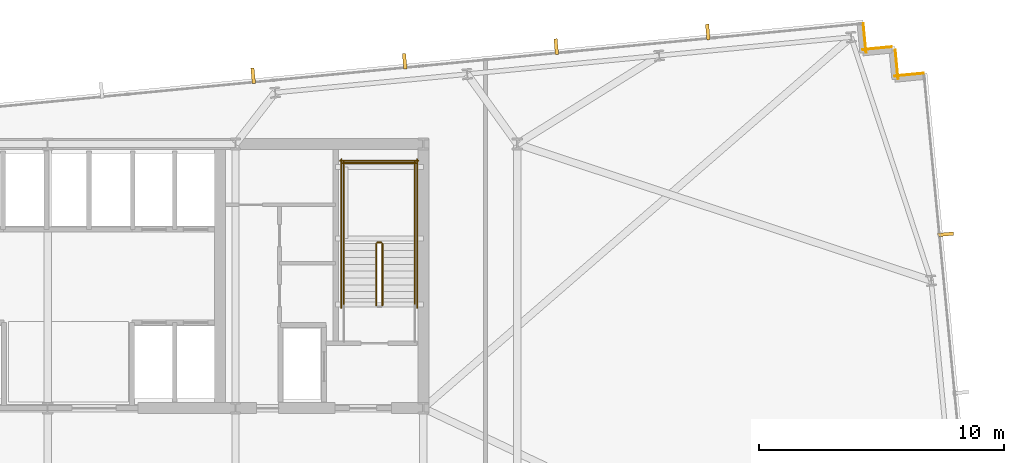
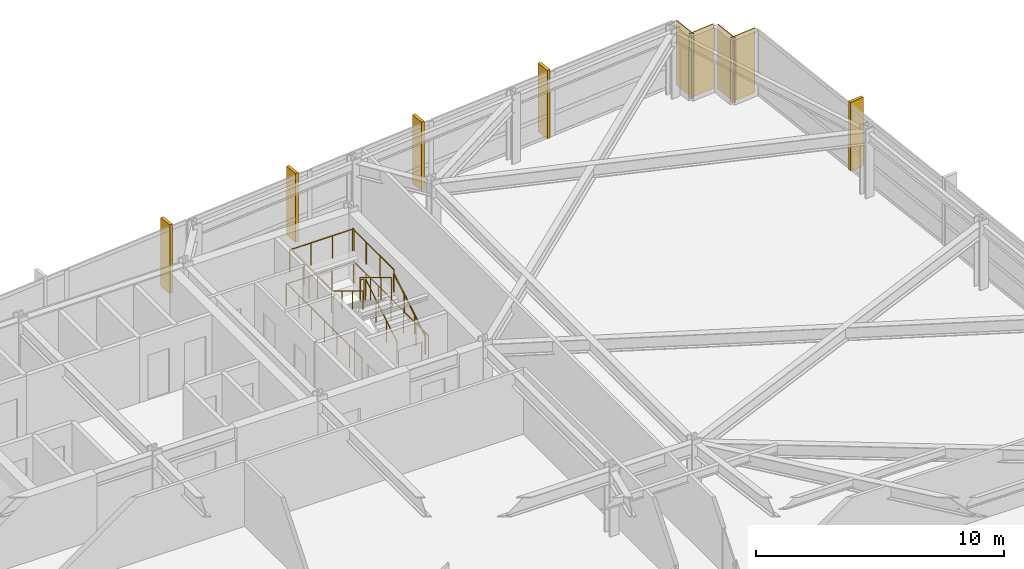
# One storey, part 33 of 33: 11 railings, 5 shading devices, 4 coverings.
"""IFC4 building model written with IfcOpenShell, lengths in metres."""

from ifc_helpers import new_model, si_unit, direction, frame, frame_2d, origin, origin_2d, place, context, subcontext, project, spatial, rectangle, circle, extrude, material, layer, layer_set, type_object, element, save


model = new_model("IFC4")

# Units and contexts
model_context = context("Model", 3, precision=1e-05, world=origin(), true_north=direction((0.0, 1.0)))
body_context = subcontext(model_context, "Body", "Model", "MODEL_VIEW")
ifc_project = project(units=[si_unit("LENGTHUNIT", "METRE"), si_unit("AREAUNIT", "SQUARE_METRE"), si_unit("VOLUMEUNIT", "CUBIC_METRE"), si_unit("PLANEANGLEUNIT", "RADIAN"), si_unit("MASSUNIT", "GRAM", prefix="KILO")], contexts=[model_context])

# Site, building, storey
site_placement = place(None, origin())
site = spatial("IfcSite", under=ifc_project, at=site_placement, CompositionType="ELEMENT")
building_placement = place(site_placement, origin())
building = spatial("IfcBuilding", under=site, at=building_placement, Name="Yelkora Congress Tower", CompositionType="ELEMENT")
storey_placement = place(building_placement, frame((0.0, 0.0, 89.699951171875)))
storey = spatial("IfcBuildingStorey", under=building, at=storey_placement, Name="L23", CompositionType="ELEMENT", Elevation=89.699951171875)

# Coverings
ifc_material_1 = material(Name="Anatolian bush-hammered limestone", Category="masonry")
ifc_layer_1 = layer(ifc_material_1, 0.0400390625)
ifc_layer_set_1 = layer_set([ifc_layer_1], Name="Anatolian bush-hammered limestone")
covering_type = type_object("IfcCoveringType", Name="COV-CLAD-SPANDREL-40", PredefinedType="CLADDING", material=ifc_layer_set_1)
for number, where, z_axis, x_axis, name in (
    (1, (71.74609375, 51.1279296875, 0.0), (0.0, 0.0, 1.0), (0.095817067274, -0.995398960025, 0.0), "L23 Anatolian Limestone Cladding EW-L23-SR11"),
    (2, (71.7138671875, 50.0546875, 0.0), (0.0, 0.0, 1.0), (0.995379537303, 0.096018626938, 0.0), "L23 Anatolian Limestone Cladding EW-L23-SR12"),
):
    element("IfcCovering", number, at=place(storey_placement, frame(where, z_axis=z_axis, x_axis=x_axis)), inside=storey, type_object=covering_type, Name=name, PredefinedType="CLADDING", context=body_context, shape_type="SweptSolid", body=[
        extrude(rectangle(XDim=1.2001953125, YDim=0.0400390625, at=frame_2d((0.60009765625, 0.0))), origin(), (0.0, 0.0, 1.0), 3.179931640625),
    ])
covering_1_placement = place(storey_placement, frame((73.0556640625, 50.04833984375, 0.0), z_axis=(0.0, 0.0, 1.0), x_axis=(0.095836473879, -0.995397091755, 0.0)))
element("IfcCovering", 3, at=covering_1_placement, inside=storey, type_object=covering_type, Name="L23 Anatolian Limestone Cladding EW-L23-SR13", PredefinedType="CLADDING", context=body_context, shape_type="SweptSolid", body=[
    extrude(rectangle(XDim=1.199951171875, YDim=0.0400390625, at=frame_2d((0.60009765625, 0.0))), origin(), (0.0, 0.0, 1.0), 3.179931640625),
])
covering_2_placement = place(storey_placement, frame((73.0234375, 48.975341796875, 0.0), z_axis=(0.0, 0.0, 1.0), x_axis=(0.995398960025, 0.095817067274, 0.0)))
element("IfcCovering", 4, at=covering_2_placement, inside=storey, type_object=covering_type, Name="L23 Anatolian Limestone Cladding EW-L23-SR14", PredefinedType="CLADDING", context=body_context, shape_type="SweptSolid", body=[
    extrude(rectangle(XDim=1.2001953125, YDim=0.0400390625, at=frame_2d((0.60009765625, 0.0))), origin(), (0.0, 0.0, 1.0), 3.179931640625),
])

# Railings
ifc_material_2 = material(Name="Painted galvanised steel stair well guard with vertical infill", Category="steel")
ifc_layer_2 = layer(ifc_material_2, 0.06005859375)
ifc_layer_set_2 = layer_set([ifc_layer_2], Name="Painted galvanised steel stair well guard with vertical infill")
railing_type_1 = type_object("IfcRailingType", Name="RAIL-STAIR-GUARD-1120", PredefinedType="GUARDRAIL", material=ifc_layer_set_2)
railing_1_placement = place(storey_placement, frame((52.090087890625, 39.60009765625, 0.170166015625)))
element("IfcRailing", 5, at=railing_1_placement, inside=storey, type_object=railing_type_1, Name="ST-02 L23 Stair Well Guardrail 1", PredefinedType="GUARDRAIL", context=body_context, shape_type="SweptSolid", body=[
    extrude(circle(Radius=0.02392578125, at=origin_2d()), frame((0.0, 0.0, 1.09619140625), z_axis=(0.0, 0.854821627497, 0.518921945155), x_axis=(-1.0, 0.0, 0.0)), (0.0, 0.0, 1.0), 2.947998046875),
    extrude(circle(Radius=0.02099609375, at=origin_2d()), origin(), (0.0, 0.0, 1.0), 1.072021484375),
    extrude(circle(Radius=0.02099609375, at=origin_2d()), frame((0.0, 0.840087890625, 0.510009765625)), (0.0, 0.0, 1.0), 1.072021484375),
    extrude(circle(Radius=0.02099609375, at=origin_2d()), frame((0.0, 1.679931640625, 1.019775390625)), (0.0, 0.0, 1.0), 1.072021484375),
    extrude(circle(Radius=0.02099609375, at=origin_2d()), frame((0.0, 2.52001953125, 1.52978515625)), (0.0, 0.0, 1.0), 1.072021484375),
])
railing_2_placement = place(storey_placement, frame((52.0400390625, 42.169921875, 1.699951171875)))
element("IfcRailing", 6, at=railing_2_placement, inside=storey, type_object=railing_type_1, Name="ST-02 L23 Stair Well Guardrail 2", PredefinedType="GUARDRAIL", context=body_context, shape_type="SweptSolid", body=[
    extrude(circle(Radius=0.02392578125, at=origin_2d()), frame((0.0, 0.0, 1.09619140625), z_axis=(-1.0, 0.0, 0.0), x_axis=(0.0, -1.0, 0.0)), (0.0, 0.0, 1.0), 0.16015625),
    extrude(circle(Radius=0.02099609375, at=origin_2d()), origin(), (0.0, 0.0, 1.0), 1.072021484375),
    extrude(circle(Radius=0.02099609375, at=origin_2d()), frame((-0.16015625, 0.0, 0.0)), (0.0, 0.0, 1.0), 1.072021484375),
])
for number, where, name in (
    (7, (53.409912109375, 42.1201171875, 1.699951171875), "ST-02 L23 Stair Well Guardrail 3"),
    (8, (50.510009765625, 42.1201171875, 1.699951171875), "ST-02 L23 Stair Well Guardrail 4"),
):
    element("IfcRailing", number, at=place(storey_placement, frame(where)), inside=storey, type_object=railing_type_1, Name=name, PredefinedType="GUARDRAIL", context=body_context, shape_type="SweptSolid", body=[
        extrude(circle(Radius=0.02392578125, at=origin_2d()), frame((0.0, 0.0, 1.09619140625), z_axis=(0.0, 1.0, 0.0), x_axis=(-1.0, 0.0, 0.0)), (0.0, 0.0, 1.0), 3.349853515625),
        extrude(circle(Radius=0.02099609375, at=origin_2d()), origin(), (0.0, 0.0, 1.0), 1.072021484375),
        extrude(circle(Radius=0.02099609375, at=origin_2d()), frame((0.0, 1.11669921875, 0.0)), (0.0, 0.0, 1.0), 1.072021484375),
        extrude(circle(Radius=0.02099609375, at=origin_2d()), frame((0.0, 2.233154296875, 0.0)), (0.0, 0.0, 1.0), 1.072021484375),
        extrude(circle(Radius=0.02099609375, at=origin_2d()), frame((0.0, 3.349853515625, 0.0)), (0.0, 0.0, 1.0), 1.072021484375),
    ])
railing_3_placement = place(storey_placement, frame((53.4599609375, 45.419921875, 1.699951171875)))
element("IfcRailing", 9, at=railing_3_placement, inside=storey, type_object=railing_type_1, Name="ST-02 L23 Stair Well Guardrail 5", PredefinedType="GUARDRAIL", context=body_context, shape_type="SweptSolid", body=[
    extrude(circle(Radius=0.02392578125, at=origin_2d()), frame((0.0, 0.0, 1.09619140625), z_axis=(-1.0, 0.0, 0.0), x_axis=(0.0, -1.0, 0.0)), (0.0, 0.0, 1.0), 3.0),
    extrude(circle(Radius=0.02099609375, at=origin_2d()), origin(), (0.0, 0.0, 1.0), 1.072021484375),
    extrude(circle(Radius=0.02099609375, at=origin_2d()), frame((-1.0, 0.0, 0.0)), (0.0, 0.0, 1.0), 1.072021484375),
    extrude(circle(Radius=0.02099609375, at=origin_2d()), frame((-2.0, 0.0, 0.0)), (0.0, 0.0, 1.0), 1.072021484375),
    extrude(circle(Radius=0.02099609375, at=origin_2d()), frame((-3.0, 0.0, 0.0)), (0.0, 0.0, 1.0), 1.072021484375),
])
railing_4_placement = place(storey_placement, frame((51.830078125, 42.1201171875, 1.8701171875)))
element("IfcRailing", 10, at=railing_4_placement, inside=storey, type_object=railing_type_1, Name="ST-02 L23 Stair Well Guardrail 6", PredefinedType="GUARDRAIL", context=body_context, shape_type="SweptSolid", body=[
    extrude(circle(Radius=0.02392578125, at=origin_2d()), frame((0.0, 0.0, 1.09619140625), z_axis=(0.0, -0.85478489116, 0.518982456201), x_axis=(1.0, 0.0, 0.0)), (0.0, 0.0, 1.0), 2.9482421875),
    extrude(circle(Radius=0.02099609375, at=origin_2d()), origin(), (0.0, 0.0, 1.0), 1.072021484375),
    extrude(circle(Radius=0.02099609375, at=origin_2d()), frame((0.0, -0.840087890625, 0.510009765625)), (0.0, 0.0, 1.0), 1.072021484375),
    extrude(circle(Radius=0.02099609375, at=origin_2d()), frame((0.0, -1.679931640625, 1.02001953125)), (0.0, 0.0, 1.0), 1.072021484375),
    extrude(circle(Radius=0.02099609375, at=origin_2d()), frame((0.0, -2.52001953125, 1.530029296875)), (0.0, 0.0, 1.0), 1.072021484375),
])
for number, where, name in (
    (11, (53.510009765625, 39.5, 0.0), "ST-02 L23 Stair Well Guardrail 10"),
    (12, (50.409912109375, 39.5, 0.0), "ST-02 L23 Stair Well Guardrail 11"),
):
    element("IfcRailing", number, at=place(storey_placement, frame(where)), inside=storey, type_object=railing_type_1, Name=name, PredefinedType="GUARDRAIL", context=body_context, shape_type="SweptSolid", body=[
        extrude(circle(Radius=0.02392578125, at=origin_2d()), frame((0.0, 0.0, 1.09619140625), z_axis=(0.0, 1.0, 0.0), x_axis=(-1.0, 0.0, 0.0)), (0.0, 0.0, 1.0), 6.070068359375),
        extrude(circle(Radius=0.02099609375, at=origin_2d()), origin(), (0.0, 0.0, 1.0), 1.072021484375),
        extrude(circle(Radius=0.02099609375, at=origin_2d()), frame((0.0, 1.01171875, 0.0)), (0.0, 0.0, 1.0), 1.072021484375),
        extrude(circle(Radius=0.02099609375, at=origin_2d()), frame((0.0, 2.0234375, 0.0)), (0.0, 0.0, 1.0), 1.072021484375),
        extrude(circle(Radius=0.02099609375, at=origin_2d()), frame((0.0, 3.03515625, 0.0)), (0.0, 0.0, 1.0), 1.072021484375),
        extrude(circle(Radius=0.02099609375, at=origin_2d()), frame((0.0, 4.046630859375, 0.0)), (0.0, 0.0, 1.0), 1.072021484375),
        extrude(circle(Radius=0.02099609375, at=origin_2d()), frame((0.0, 5.058349609375, 0.0)), (0.0, 0.0, 1.0), 1.072021484375),
        extrude(circle(Radius=0.02099609375, at=origin_2d()), frame((0.0, 6.070068359375, 0.0)), (0.0, 0.0, 1.0), 1.072021484375),
    ])
railing_5_placement = place(storey_placement, frame((53.56005859375, 45.52001953125, 0.0)))
element("IfcRailing", 13, at=railing_5_placement, inside=storey, type_object=railing_type_1, Name="ST-02 L23 Stair Well Guardrail 12", PredefinedType="GUARDRAIL", context=body_context, shape_type="SweptSolid", body=[
    extrude(circle(Radius=0.02392578125, at=origin_2d()), frame((0.0, 0.0, 1.09619140625), z_axis=(-1.0, 0.0, 0.0), x_axis=(0.0, -1.0, 0.0)), (0.0, 0.0, 1.0), 3.199951171875),
    extrude(circle(Radius=0.02099609375, at=origin_2d()), origin(), (0.0, 0.0, 1.0), 1.072021484375),
    extrude(circle(Radius=0.02099609375, at=origin_2d()), frame((-1.066650390625, 0.0, 0.0)), (0.0, 0.0, 1.0), 1.072021484375),
    extrude(circle(Radius=0.02099609375, at=origin_2d()), frame((-2.13330078125, 0.0, 0.0)), (0.0, 0.0, 1.0), 1.072021484375),
    extrude(circle(Radius=0.02099609375, at=origin_2d()), frame((-3.199951171875, 0.0, 0.0)), (0.0, 0.0, 1.0), 1.072021484375),
])
ifc_material_3 = material(Name="Brushed stainless steel tubular handrail", Category="steel")
ifc_layer_3 = layer(ifc_material_3, 0.050048828125)
ifc_layer_set_3 = layer_set([ifc_layer_3], Name="Brushed stainless steel tubular handrail")
railing_type_2 = type_object("IfcRailingType", Name="RAIL-STAIR-HAND-920", PredefinedType="HANDRAIL", material=ifc_layer_set_3)
railing_6_placement = place(storey_placement, frame((53.409912109375, 39.60009765625, 0.170166015625)))
element("IfcRailing", 14, at=railing_6_placement, inside=storey, type_object=railing_type_2, Name="ST-02 L23 Pitch Handrail 1", PredefinedType="HANDRAIL", context=body_context, shape_type="SweptSolid", body=[
    extrude(circle(Radius=0.02392578125, at=origin_2d()), frame((0.0, 0.0, 0.89599609375), z_axis=(0.0, 0.854821627497, 0.518921945155), x_axis=(-1.0, 0.0, 0.0)), (0.0, 0.0, 1.0), 2.947998046875),
    extrude(circle(Radius=0.02099609375, at=origin_2d()), origin(), (0.0, 0.0, 1.0), 0.871826171875),
    extrude(circle(Radius=0.02099609375, at=origin_2d()), frame((0.0, 0.840087890625, 0.510009765625)), (0.0, 0.0, 1.0), 0.871826171875),
    extrude(circle(Radius=0.02099609375, at=origin_2d()), frame((0.0, 1.679931640625, 1.019775390625)), (0.0, 0.0, 1.0), 0.871826171875),
    extrude(circle(Radius=0.02099609375, at=origin_2d()), frame((0.0, 2.52001953125, 1.52978515625)), (0.0, 0.0, 1.0), 0.871826171875),
])
railing_7_placement = place(storey_placement, frame((50.510009765625, 42.1201171875, 1.8701171875)))
element("IfcRailing", 15, at=railing_7_placement, inside=storey, type_object=railing_type_2, Name="ST-02 L23 Pitch Handrail 2", PredefinedType="HANDRAIL", context=body_context, shape_type="SweptSolid", body=[
    extrude(circle(Radius=0.02392578125, at=origin_2d()), frame((0.0, 0.0, 0.89599609375), z_axis=(0.0, -0.85478489116, 0.518982456201), x_axis=(1.0, 0.0, 0.0)), (0.0, 0.0, 1.0), 2.9482421875),
    extrude(circle(Radius=0.02099609375, at=origin_2d()), origin(), (0.0, 0.0, 1.0), 0.871826171875),
    extrude(circle(Radius=0.02099609375, at=origin_2d()), frame((0.0, -0.840087890625, 0.510009765625)), (0.0, 0.0, 1.0), 0.871826171875),
    extrude(circle(Radius=0.02099609375, at=origin_2d()), frame((0.0, -1.679931640625, 1.02001953125)), (0.0, 0.0, 1.0), 0.871826171875),
    extrude(circle(Radius=0.02099609375, at=origin_2d()), frame((0.0, -2.52001953125, 1.530029296875)), (0.0, 0.0, 1.0), 0.871826171875),
])

# Shading devices
ifc_material_4 = material(Name="Champagne anodised aluminium", Category="aluminium")
ifc_layer_4 = layer(ifc_material_4, 3.39990234375)
ifc_layer_set_4 = layer_set([ifc_layer_4], Name="Champagne anodised aluminium")
shading_device_type = type_object("IfcShadingDeviceType", Name="SHD-FIN-ALU-640", PredefinedType="USERDEFINED", material=ifc_layer_set_4)
for number, where, z_axis, x_axis, name in (
    (16, (46.8037109375, 48.9873046875, -0.02978515625), (0.0, 0.0, 1.0), (0.995396198367, 0.09584575252, 0.0), "L23 Vertical Anodised Solar Fin 10-5"),
    (17, (52.99951171875, 49.583984375, -0.02978515625), (0.0, 0.0, 1.0), (0.995396198367, 0.09584575252, 0.0), "L23 Vertical Anodised Solar Fin 10-6"),
    (18, (59.1953125, 50.1806640625, -0.02978515625), (0.0, 0.0, 1.0), (0.995396198367, 0.09584575252, 0.0), "L23 Vertical Anodised Solar Fin 10-7"),
    (19, (65.39111328125, 50.777099609375, -0.02978515625), (0.0, 0.0, 1.0), (0.995396198367, 0.09584575252, 0.0), "L23 Vertical Anodised Solar Fin 10-8"),
    (20, (75.113037109375, 42.5068359375, -0.02978515625), (0.0, 0.0, 1.0), (0.09584575252, -0.995396198367, 0.0), "L23 Vertical Anodised Solar Fin 15-1"),
):
    element("IfcShadingDevice", number, at=place(storey_placement, frame(where, z_axis=z_axis, x_axis=x_axis)), inside=storey, type_object=shading_device_type, Name=name, ObjectType="FIN", PredefinedType="USERDEFINED", context=body_context, shape_type="SweptSolid", body=[
        extrude(rectangle(XDim=0.139892578125, YDim=0.639892578125, at=origin_2d()), origin(), (0.0, 0.0, 1.0), 3.3798828125),
    ])

save(model, "model.ifc")
